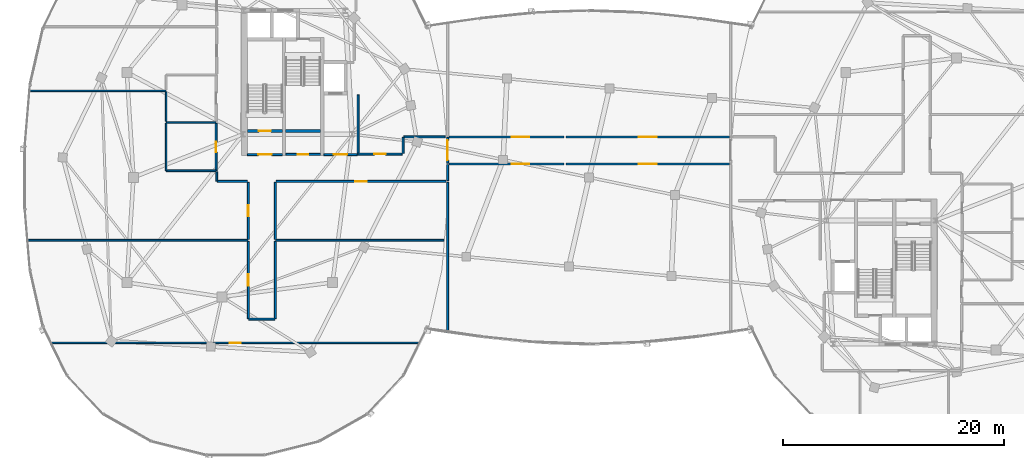
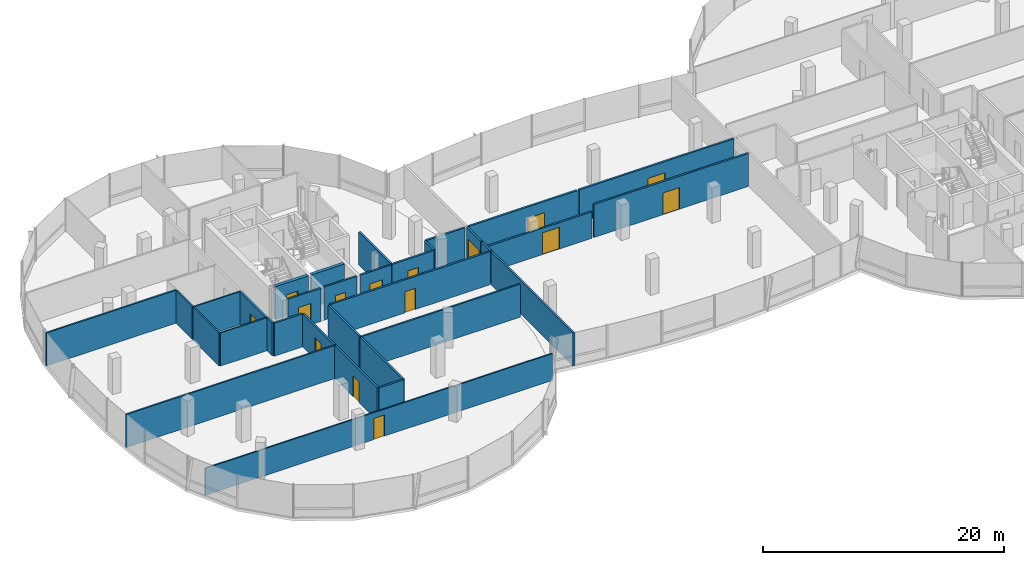
# One storey, part 14 of 26: 33 walls, 15 doors, 15 openings.
"""IFC4 building model written with IfcOpenShell, lengths in metres."""

from ifc_helpers import new_model, si_unit, direction, frame, frame_2d, origin, place, context, subcontext, project, spatial, rectangle, extrude, material, layer, layer_set, type_object, element, fill, save


model = new_model("IFC4")

# Units and contexts
model_context = context("Model", 3, precision=1e-05, world=origin(), true_north=direction((0.0, 1.0)))
body_context = subcontext(model_context, "Body", "Model", "MODEL_VIEW")
ifc_project = project(units=[si_unit("LENGTHUNIT", "METRE"), si_unit("AREAUNIT", "SQUARE_METRE"), si_unit("VOLUMEUNIT", "CUBIC_METRE"), si_unit("PLANEANGLEUNIT", "RADIAN"), si_unit("MASSUNIT", "GRAM", prefix="KILO"), si_unit("THERMODYNAMICTEMPERATUREUNIT", "KELVIN"), si_unit("POWERUNIT", "WATT")], contexts=[model_context])

# Site, building, storey
site_placement = place(None, origin())
site = spatial("IfcSite", under=ifc_project, at=site_placement, CompositionType="ELEMENT")
building_placement = place(site_placement, origin())
building = spatial("IfcBuilding", under=site, at=building_placement, Name="Cundina Bronze Exchange", CompositionType="ELEMENT")
storey_placement = place(building_placement, frame((0.0, 0.0, 261.199951171875)))
storey = spatial("IfcBuildingStorey", under=building, at=storey_placement, Name="L69", CompositionType="ELEMENT", Elevation=261.199951171875)

# Wall
ifc_material_1 = material(Name="Gypsum Fireboard Partition EI120")
ifc_layer_1 = layer(ifc_material_1, 0.179931640625, Name="Gypsum Fireboard Partition EI120")
ifc_layer_set_1 = layer_set([ifc_layer_1], Name="Gypsum Fireboard Partition EI120")
wall_type_1 = type_object("IfcWallType", Name="WL-COR-180", PredefinedType="PARTITIONING", material=ifc_layer_set_1)
wall_1_placement = place(storey_placement, frame((-20.889892578125, 2.14990234375, 0.0), z_axis=(0.0, 0.0, 1.0), x_axis=(0.0, 1.0, 0.0)))
element("IfcWall", 1, at=wall_1_placement, inside=storey, type_object=wall_type_1, Name="L69 W Firefighting Lobby Side Wall", PredefinedType="PARTITIONING", context=body_context, shape_type="SweptSolid", body=[
    extrude(rectangle(XDim=5.300048828125, YDim=0.179931640625, at=frame_2d((2.64990234375, 0.0))), origin(), (0.0, 0.0, 1.0), 3.340087890625),
])

# Wall, opening, door
wall_2_placement = place(storey_placement, frame((-23.97998046875, 2.06005859375, 0.0), z_axis=(0.0, 0.0, 1.0), x_axis=(1.0, 0.0, 0.0)))
wall_2 = element("IfcWall", 2, at=wall_2_placement, inside=storey, type_object=wall_type_1, Name="L69 W Firefighting Lobby Exit Wall", PredefinedType="PARTITIONING", context=body_context, shape_type="SweptSolid", body=[
    extrude(rectangle(XDim=3.0, YDim=0.179931640625, at=frame_2d((1.5, 0.0))), origin(), (0.0, 0.0, 1.0), 3.340087890625),
])
opening_1_placement = place(wall_2_placement, frame((0.89990234375, 0.0, 0.0)))
opening_1 = element("IfcOpeningElement", 3, at=opening_1_placement, cuts=wall_2, Name="Opening DF-01", PredefinedType="OPENING", context=body_context, shape_type="SweptSolid", body=[
    extrude(rectangle(XDim=1.199951171875, YDim=2.14990234375, at=frame_2d((0.60009765625, 1.074951171875))), frame((0.0, 0.099853515625, 0.0), z_axis=(0.0, -1.0, 0.0), x_axis=(1.0, 0.0, 0.0)), (0.0, 0.0, 1.0), 0.199951171875),
])
ifc_material_2 = material(Name="Steel ASTM A36 Painted", Category="steel")
door_type_1 = type_object("IfcDoorType", Name="DR-FFL-1200", OperationType="NOTDEFINED", PredefinedType="DOOR", material=ifc_material_2)
door_1_placement = place(opening_1_placement, origin())
door_1 = element("IfcDoor", 4, at=door_1_placement, inside=storey, type_object=door_type_1, Name="L69 W Firefighting Lobby Door", OperationType="SINGLE_SWING_RIGHT", OverallHeight=2.14990234375, OverallWidth=1.199951171875, PredefinedType="DOOR", context=body_context, shape_type="SweptSolid", body=[
    extrude(rectangle(XDim=1.199951171875, YDim=2.14990234375, at=frame_2d((0.60009765625, 1.074951171875))), frame((0.0, 0.02490234375, 0.0), z_axis=(0.0, -1.0, 0.0), x_axis=(1.0, 0.0, 0.0)), (0.0, 0.0, 1.0), 0.050048828125),
])
fill(opening_1, door_1)

wall_3_placement = place(storey_placement, frame((-30.89990234375, 2.06005859375, 0.0), z_axis=(0.0, 0.0, 1.0), x_axis=(1.0, 0.0, 0.0)))
wall_3 = element("IfcWall", 5, at=wall_3_placement, inside=storey, type_object=wall_type_1, Name="L69 W Stair Vestibule Exit Wall", PredefinedType="PARTITIONING", context=body_context, shape_type="SweptSolid", body=[
    extrude(rectangle(XDim=3.159912109375, YDim=0.179931640625, at=frame_2d((1.580078125, 0.0))), origin(), (0.0, 0.0, 1.0), 3.340087890625),
])
opening_2_placement = place(wall_3_placement, frame((0.97998046875, 0.0, 0.0)))
opening_2 = element("IfcOpeningElement", 6, at=opening_2_placement, cuts=wall_3, Name="Opening DF-01", PredefinedType="OPENING", context=body_context, shape_type="SweptSolid", body=[
    extrude(rectangle(XDim=1.199951171875, YDim=2.14990234375, at=frame_2d((0.60009765625, 1.074951171875))), frame((0.0, 0.099853515625, 0.0), z_axis=(0.0, -1.0, 0.0), x_axis=(1.0, 0.0, 0.0)), (0.0, 0.0, 1.0), 0.199951171875),
])
door_2_placement = place(opening_2_placement, origin())
door_2 = element("IfcDoor", 7, at=door_2_placement, inside=storey, type_object=door_type_1, Name="L69 W Stair Vestibule Door", OperationType="SINGLE_SWING_LEFT", OverallHeight=2.14990234375, OverallWidth=1.199951171875, PredefinedType="DOOR", context=body_context, shape_type="SweptSolid", body=[
    extrude(rectangle(XDim=1.199951171875, YDim=2.14990234375, at=frame_2d((0.60009765625, 1.074951171875))), frame((0.0, 0.02490234375, 0.0), z_axis=(0.0, -1.0, 0.0), x_axis=(1.0, 0.0, 0.0)), (0.0, 0.0, 1.0), 0.050048828125),
])
fill(opening_2, door_2)

wall_4_placement = place(storey_placement, frame((-27.419921875, 2.070068359375, 0.0), z_axis=(0.0, 0.0, 1.0), x_axis=(1.0, 0.0, 0.0)))
wall_4 = element("IfcWall", 8, at=wall_4_placement, inside=storey, type_object=wall_type_1, Name="L69 Interior Partition 003", PredefinedType="PARTITIONING", context=body_context, shape_type="SweptSolid", body=[
    extrude(rectangle(XDim=3.119873046875, YDim=0.179931640625, at=frame_2d((1.56005859375, 0.0))), origin(), (0.0, 0.0, 1.0), 3.340087890625),
])
opening_3_placement = place(wall_4_placement, frame((1.0849609375, 0.0, 0.0)))
opening_3 = element("IfcOpeningElement", 9, at=opening_3_placement, cuts=wall_4, Name="Opening DW-01", PredefinedType="OPENING", context=body_context, shape_type="SweptSolid", body=[
    extrude(rectangle(XDim=0.949951171875, YDim=2.10009765625, at=frame_2d((0.47509765625, 1.050048828125))), frame((0.0, 0.099853515625, 0.0), z_axis=(0.0, -1.0, 0.0), x_axis=(1.0, 0.0, 0.0)), (0.0, 0.0, 1.0), 0.199951171875),
])
ifc_material_3 = material(Name="Solid Andean Oak Timber Grade A", Category="wood")
door_type_2 = type_object("IfcDoorType", Name="DR-WC-950", OperationType="NOTDEFINED", PredefinedType="DOOR", material=ifc_material_3)
door_3_placement = place(opening_3_placement, origin())
door_3 = element("IfcDoor", 10, at=door_3_placement, inside=storey, type_object=door_type_2, Name="L69 Interior Door 003", OperationType="SINGLE_SWING_LEFT", OverallHeight=2.10009765625, OverallWidth=0.949951171875, PredefinedType="DOOR", context=body_context, shape_type="SweptSolid", body=[
    extrude(rectangle(XDim=0.949951171875, YDim=2.10009765625, at=frame_2d((0.47509765625, 1.050048828125))), frame((0.0, 0.02490234375, 0.0), z_axis=(0.0, -1.0, 0.0), x_axis=(1.0, 0.0, 0.0)), (0.0, 0.0, 1.0), 0.050048828125),
])
fill(opening_3, door_3)

wall_5_placement = place(storey_placement, frame((-33.719970703125, 0.6201171875, 0.0), z_axis=(0.0, 0.0, 1.0), x_axis=(0.0, 1.0, 0.0)))
wall_5 = element("IfcWall", 11, at=wall_5_placement, inside=storey, type_object=wall_type_1, Name="L69 Interior Partition 010", PredefinedType="PARTITIONING", context=body_context, shape_type="SweptSolid", body=[
    extrude(rectangle(XDim=4.259765625, YDim=0.179931640625, at=frame_2d((2.1298828125, 0.0))), origin(), (0.0, 0.0, 1.0), 3.340087890625),
])
opening_4_placement = place(wall_5_placement, frame((1.655029296875, 0.0, 0.0)))
opening_4 = element("IfcOpeningElement", 12, at=opening_4_placement, cuts=wall_5, Name="Opening DW-01", PredefinedType="OPENING", context=body_context, shape_type="SweptSolid", body=[
    extrude(rectangle(XDim=0.949951171875, YDim=2.10009765625, at=frame_2d((0.47509765625, 1.050048828125))), frame((0.0, 0.099853515625, 0.0), z_axis=(0.0, -1.0, 0.0), x_axis=(1.0, 0.0, 0.0)), (0.0, 0.0, 1.0), 0.199951171875),
])
door_4_placement = place(opening_4_placement, origin())
door_4 = element("IfcDoor", 13, at=door_4_placement, inside=storey, type_object=door_type_2, Name="L69 Interior Door 010", OperationType="SINGLE_SWING_RIGHT", OverallHeight=2.10009765625, OverallWidth=0.949951171875, PredefinedType="DOOR", context=body_context, shape_type="SweptSolid", body=[
    extrude(rectangle(XDim=0.949951171875, YDim=2.10009765625, at=frame_2d((0.47509765625, 1.050048828125))), frame((0.0, 0.02490234375, 0.0), z_axis=(0.0, -1.0, 0.0), x_axis=(1.0, 0.0, 0.0)), (0.0, 0.0, 1.0), 0.050048828125),
])
fill(opening_4, door_4)

wall_6_placement = place(storey_placement, frame((-30.820068359375, -5.780029296875, 0.0), z_axis=(0.0, 0.0, 1.0), x_axis=(0.0, -1.0, 0.0)))
wall_6 = element("IfcWall", 14, at=wall_6_placement, inside=storey, type_object=wall_type_1, Name="L69 Interior Partition 019", PredefinedType="PARTITIONING", context=body_context, shape_type="SweptSolid", body=[
    extrude(rectangle(XDim=6.99853515625, YDim=0.179931640625, at=frame_2d((3.499267578125, 0.0))), origin(), (0.0, 0.0, 1.0), 3.340087890625),
])
opening_5_placement = place(wall_6_placement, frame((2.999267578125, 0.0, 0.0)))
opening_5 = element("IfcOpeningElement", 15, at=opening_5_placement, cuts=wall_6, Name="Opening DO-01", PredefinedType="OPENING", context=body_context, shape_type="SweptSolid", body=[
    extrude(rectangle(XDim=1.0, YDim=2.14990234375, at=frame_2d((0.5, 1.074951171875))), frame((0.0, 0.099853515625, 0.0), z_axis=(0.0, -1.0, 0.0), x_axis=(1.0, 0.0, 0.0)), (0.0, 0.0, 1.0), 0.199951171875),
])
door_type_3 = type_object("IfcDoorType", Name="DR-OFF-1000", OperationType="NOTDEFINED", PredefinedType="DOOR", material=ifc_material_3)
door_5_placement = place(opening_5_placement, origin())
door_5 = element("IfcDoor", 16, at=door_5_placement, inside=storey, type_object=door_type_3, Name="L69 Interior Door 019", OperationType="SINGLE_SWING_RIGHT", OverallHeight=2.14990234375, OverallWidth=1.0, PredefinedType="DOOR", context=body_context, shape_type="SweptSolid", body=[
    extrude(rectangle(XDim=1.0, YDim=2.14990234375, at=frame_2d((0.5, 1.074951171875))), frame((0.0, 0.02490234375, 0.0), z_axis=(0.0, -1.0, 0.0), x_axis=(1.0, 0.0, 0.0)), (0.0, 0.0, 1.0), 0.050048828125),
])
fill(opening_5, door_5)

# Walls
wall_7_placement = place(storey_placement, frame((-28.3798828125, -12.778564453125, 0.0), z_axis=(0.0, 0.0, 1.0), x_axis=(0.0, 1.0, 0.0)))
element("IfcWall", 17, at=wall_7_placement, inside=storey, type_object=wall_type_1, Name="L69 Interior Partition 020", PredefinedType="PARTITIONING", context=body_context, shape_type="SweptSolid", body=[
    extrude(rectangle(XDim=6.99853515625, YDim=0.179931640625, at=frame_2d((3.499267578125, 0.0))), origin(), (0.0, 0.0, 1.0), 3.340087890625),
])
wall_8_placement = place(storey_placement, frame((-30.778564453125, -12.820068359375, 0.0), z_axis=(0.0, 0.0, 1.0), x_axis=(1.0, 0.0, 0.0)))
element("IfcWall", 18, at=wall_8_placement, inside=storey, type_object=wall_type_1, Name="L69 Interior Partition 021", PredefinedType="PARTITIONING", context=body_context, shape_type="SweptSolid", body=[
    extrude(rectangle(XDim=2.357177734375, YDim=0.179931640625, at=frame_2d((1.1787109375, 0.0))), origin(), (0.0, 0.0, 1.0), 3.340087890625),
])

# Wall, opening, door
wall_9_placement = place(storey_placement, frame((-28.300048828125, -0.3701171875, 0.0), z_axis=(0.0, 0.0, 1.0), x_axis=(1.0, 0.0, 0.0)))
wall_9 = element("IfcWall", 19, at=wall_9_placement, inside=storey, type_object=wall_type_1, Name="L69 Interior Partition 022", PredefinedType="PARTITIONING", context=body_context, shape_type="SweptSolid", body=[
    extrude(rectangle(XDim=15.34912109375, YDim=0.179931640625, at=frame_2d((7.674560546875, 0.0))), origin(), (0.0, 0.0, 1.0), 3.340087890625),
])
opening_6_placement = place(wall_9_placement, frame((7.174560546875, 0.0, 0.0)))
opening_6 = element("IfcOpeningElement", 20, at=opening_6_placement, cuts=wall_9, Name="Opening DO-01", PredefinedType="OPENING", context=body_context, shape_type="SweptSolid", body=[
    extrude(rectangle(XDim=1.0, YDim=2.14990234375, at=frame_2d((0.5, 1.074951171875))), frame((0.0, 0.099853515625, 0.0), z_axis=(0.0, -1.0, 0.0), x_axis=(1.0, 0.0, 0.0)), (0.0, 0.0, 1.0), 0.199951171875),
])
door_6_placement = place(opening_6_placement, origin())
door_6 = element("IfcDoor", 21, at=door_6_placement, inside=storey, type_object=door_type_3, Name="L69 Interior Door 022", OperationType="SINGLE_SWING_LEFT", OverallHeight=2.14990234375, OverallWidth=1.0, PredefinedType="DOOR", context=body_context, shape_type="SweptSolid", body=[
    extrude(rectangle(XDim=1.0, YDim=2.14990234375, at=frame_2d((0.5, 1.074951171875))), frame((0.0, 0.02490234375, 0.0), z_axis=(0.0, -1.0, 0.0), x_axis=(1.0, 0.0, 0.0)), (0.0, 0.0, 1.0), 0.050048828125),
])
fill(opening_6, door_6)

# Wall
wall_10_placement = place(storey_placement, frame((-28.3798828125, -5.60009765625, 0.0), z_axis=(0.0, 0.0, 1.0), x_axis=(0.0, 1.0, 0.0)))
element("IfcWall", 22, at=wall_10_placement, inside=storey, type_object=wall_type_1, Name="L69 Interior Partition 023", PredefinedType="PARTITIONING", context=body_context, shape_type="SweptSolid", body=[
    extrude(rectangle(XDim=5.150146484375, YDim=0.179931640625, at=frame_2d((2.5751953125, 0.0))), origin(), (0.0, 0.0, 1.0), 3.340087890625),
])

# Wall, opening, door
wall_11_placement = place(storey_placement, frame((-30.820068359375, -0.449951171875, 0.0), z_axis=(0.0, 0.0, 1.0), x_axis=(0.0, -1.0, 0.0)))
wall_11 = element("IfcWall", 23, at=wall_11_placement, inside=storey, type_object=wall_type_1, Name="L69 Interior Partition 024", PredefinedType="PARTITIONING", context=body_context, shape_type="SweptSolid", body=[
    extrude(rectangle(XDim=5.150146484375, YDim=0.179931640625, at=frame_2d((2.5751953125, 0.0))), origin(), (0.0, 0.0, 1.0), 3.340087890625),
])
opening_7_placement = place(wall_11_placement, frame((2.074951171875, 0.0, 0.0)))
opening_7 = element("IfcOpeningElement", 24, at=opening_7_placement, cuts=wall_11, Name="Opening DO-01", PredefinedType="OPENING", context=body_context, shape_type="SweptSolid", body=[
    extrude(rectangle(XDim=1.0, YDim=2.14990234375, at=frame_2d((0.5, 1.074951171875))), frame((0.0, 0.099853515625, 0.0), z_axis=(0.0, -1.0, 0.0), x_axis=(1.0, 0.0, 0.0)), (0.0, 0.0, 1.0), 0.199951171875),
])
door_7_placement = place(opening_7_placement, origin())
door_7 = element("IfcDoor", 25, at=door_7_placement, inside=storey, type_object=door_type_3, Name="L69 Interior Door 024", OperationType="SINGLE_SWING_RIGHT", OverallHeight=2.14990234375, OverallWidth=1.0, PredefinedType="DOOR", context=body_context, shape_type="SweptSolid", body=[
    extrude(rectangle(XDim=1.0, YDim=2.14990234375, at=frame_2d((0.5, 1.074951171875))), frame((0.0, 0.02490234375, 0.0), z_axis=(0.0, -1.0, 0.0), x_axis=(1.0, 0.0, 0.0)), (0.0, 0.0, 1.0), 0.050048828125),
])
fill(opening_7, door_7)

# Walls
wall_12_placement = place(storey_placement, frame((-33.62841796875, -0.3701171875, 0.0), z_axis=(0.0, 0.0, 1.0), x_axis=(1.0, 0.0, 0.0)))
element("IfcWall", 26, at=wall_12_placement, inside=storey, type_object=wall_type_1, Name="L69 Interior Partition 025", PredefinedType="PARTITIONING", context=body_context, shape_type="SweptSolid", body=[
    extrude(rectangle(XDim=2.728515625, YDim=0.179931640625, at=frame_2d((1.3642578125, 0.0))), origin(), (0.0, 0.0, 1.0), 3.340087890625),
])
wall_13_placement = place(storey_placement, frame((-33.669921875, 0.508544921875, 0.0), z_axis=(0.0, 0.0, 1.0), x_axis=(0.0, -1.0, 0.0)))
element("IfcWall", 27, at=wall_13_placement, inside=storey, type_object=wall_type_1, Name="L69 Interior Partition 026", PredefinedType="PARTITIONING", context=body_context, shape_type="SweptSolid", body=[
    extrude(rectangle(XDim=0.837158203125, YDim=0.179931640625, at=frame_2d((0.41845703125, 0.0))), origin(), (0.0, 0.0, 1.0), 3.340087890625),
])

# Wall, opening, door
wall_14_placement = place(storey_placement, frame((-16.89990234375, 2.10009765625, 0.0), z_axis=(0.0, 0.0, 1.0), x_axis=(-1.0, 0.0, 0.0)))
wall_14 = element("IfcWall", 28, at=wall_14_placement, inside=storey, type_object=wall_type_1, Name="L69 Interior Partition 028", PredefinedType="PARTITIONING", context=body_context, shape_type="SweptSolid", body=[
    extrude(rectangle(XDim=4.02001953125, YDim=0.179931640625, at=frame_2d((2.010009765625, 0.0))), origin(), (0.0, 0.0, 1.0), 3.340087890625),
])
opening_8_placement = place(wall_14_placement, frame((1.510009765625, 0.0, 0.0)))
opening_8 = element("IfcOpeningElement", 29, at=opening_8_placement, cuts=wall_14, Name="Opening DO-01", PredefinedType="OPENING", context=body_context, shape_type="SweptSolid", body=[
    extrude(rectangle(XDim=1.0, YDim=2.14990234375, at=frame_2d((0.5, 1.074951171875))), frame((0.0, 0.099853515625, 0.0), z_axis=(0.0, -1.0, 0.0), x_axis=(1.0, 0.0, 0.0)), (0.0, 0.0, 1.0), 0.199951171875),
])
door_8_placement = place(opening_8_placement, origin())
door_8 = element("IfcDoor", 30, at=door_8_placement, inside=storey, type_object=door_type_3, Name="L69 Interior Door 028", OperationType="SINGLE_SWING_LEFT", OverallHeight=2.14990234375, OverallWidth=1.0, PredefinedType="DOOR", context=body_context, shape_type="SweptSolid", body=[
    extrude(rectangle(XDim=1.0, YDim=2.14990234375, at=frame_2d((0.5, 1.074951171875))), frame((0.0, 0.02490234375, 0.0), z_axis=(0.0, -1.0, 0.0), x_axis=(1.0, 0.0, 0.0)), (0.0, 0.0, 1.0), 0.050048828125),
])
fill(opening_8, door_8)

# Walls
wall_15_placement = place(storey_placement, frame((-13.025634765625, 3.669921875, 0.0), z_axis=(0.0, 0.0, 1.0), x_axis=(-1.0, 0.0, 0.0)))
element("IfcWall", 31, at=wall_15_placement, inside=storey, type_object=wall_type_1, Name="L69 Interior Partition 029", PredefinedType="PARTITIONING", context=body_context, shape_type="SweptSolid", body=[
    extrude(rectangle(XDim=3.7529296875, YDim=0.179931640625, at=frame_2d((1.87646484375, 0.0))), origin(), (0.0, 0.0, 1.0), 3.340087890625),
])
wall_16_placement = place(storey_placement, frame((-16.820068359375, 3.62841796875, 0.0), z_axis=(0.0, 0.0, 1.0), x_axis=(0.0, -1.0, 0.0)))
element("IfcWall", 32, at=wall_16_placement, inside=storey, type_object=wall_type_1, Name="L69 Interior Partition 032", PredefinedType="PARTITIONING", context=body_context, shape_type="SweptSolid", body=[
    extrude(rectangle(XDim=1.448486328125, YDim=0.179931640625, at=frame_2d((0.72412109375, 0.0))), origin(), (0.0, 0.0, 1.0), 3.340087890625),
])

# Wall, opening, door
wall_17_placement = place(storey_placement, frame((-2.10498046875, 1.22998046875, 0.0), z_axis=(0.0, 0.0, 1.0), x_axis=(1.0, 0.0, 0.0)))
wall_17 = element("IfcWall", 33, at=wall_17_placement, inside=storey, type_object=wall_type_1, Name="L69 Interior Partition 075", PredefinedType="PARTITIONING", context=body_context, shape_type="SweptSolid", body=[
    extrude(rectangle(XDim=14.79345703125, YDim=0.179931640625, at=frame_2d((7.396728515625, 0.0))), origin(), (0.0, 0.0, 1.0), 3.340087890625),
])
opening_9_placement = place(wall_17_placement, frame((6.5966796875, 0.0, 0.0)))
opening_9 = element("IfcOpeningElement", 34, at=opening_9_placement, cuts=wall_17, Name="Opening DO-02", PredefinedType="OPENING", context=body_context, shape_type="SweptSolid", body=[
    extrude(rectangle(XDim=1.60009765625, YDim=2.199951171875, at=frame_2d((0.800048828125, 1.10009765625))), frame((0.0, 0.099853515625, 0.0), z_axis=(0.0, -1.0, 0.0), x_axis=(1.0, 0.0, 0.0)), (0.0, 0.0, 1.0), 0.199951171875),
])
door_type_4 = type_object("IfcDoorType", Name="DR-TRD-1600", OperationType="NOTDEFINED", PredefinedType="DOOR", material=ifc_material_3)
door_9_placement = place(opening_9_placement, origin())
door_9 = element("IfcDoor", 35, at=door_9_placement, inside=storey, type_object=door_type_4, Name="L69 Interior Door 075", OperationType="SINGLE_SWING_RIGHT", OverallHeight=2.199951171875, OverallWidth=1.60009765625, PredefinedType="DOOR", context=body_context, shape_type="SweptSolid", body=[
    extrude(rectangle(XDim=1.60009765625, YDim=2.199951171875, at=frame_2d((0.800048828125, 1.10009765625))), frame((0.0, 0.02490234375, 0.0), z_axis=(0.0, -1.0, 0.0), x_axis=(1.0, 0.0, 0.0)), (0.0, 0.0, 1.0), 0.050048828125),
])
fill(opening_9, door_9)

wall_18_placement = place(storey_placement, frame((-12.6884765625, 1.22998046875, 0.0), z_axis=(0.0, 0.0, 1.0), x_axis=(1.0, 0.0, 0.0)))
wall_18 = element("IfcWall", 36, at=wall_18_placement, inside=storey, type_object=wall_type_1, Name="L69 Interior Partition 076", PredefinedType="PARTITIONING", context=body_context, shape_type="SweptSolid", body=[
    extrude(rectangle(XDim=10.3935546875, YDim=0.179931640625, at=frame_2d((5.19677734375, 0.0))), origin(), (0.0, 0.0, 1.0), 2.6630859375),
])
opening_10_placement = place(wall_18_placement, frame((5.6796875, 0.0, 0.0)))
opening_10 = element("IfcOpeningElement", 37, at=opening_10_placement, cuts=wall_18, Name="Opening DO-02", PredefinedType="OPENING", context=body_context, shape_type="SweptSolid", body=[
    extrude(rectangle(XDim=1.60009765625, YDim=2.199951171875, at=frame_2d((0.800048828125, 1.10009765625))), frame((0.0, 0.099853515625, 0.0), z_axis=(0.0, -1.0, 0.0), x_axis=(1.0, 0.0, 0.0)), (0.0, 0.0, 1.0), 0.199951171875),
])
door_10_placement = place(opening_10_placement, origin())
door_10 = element("IfcDoor", 38, at=door_10_placement, inside=storey, type_object=door_type_4, Name="L69 Interior Door 076", OperationType="SINGLE_SWING_RIGHT", OverallHeight=2.199951171875, OverallWidth=1.60009765625, PredefinedType="DOOR", context=body_context, shape_type="SweptSolid", body=[
    extrude(rectangle(XDim=1.60009765625, YDim=2.199951171875, at=frame_2d((0.800048828125, 1.10009765625))), frame((0.0, 0.02490234375, 0.0), z_axis=(0.0, -1.0, 0.0), x_axis=(1.0, 0.0, 0.0)), (0.0, 0.0, 1.0), 0.050048828125),
])
fill(opening_10, door_10)

wall_19_placement = place(storey_placement, frame((-2.294921875, 3.669921875, 0.0), z_axis=(0.0, 0.0, 1.0), x_axis=(-1.0, 0.0, 0.0)))
wall_19 = element("IfcWall", 39, at=wall_19_placement, inside=storey, type_object=wall_type_1, Name="L69 Interior Partition 077", PredefinedType="PARTITIONING", context=body_context, shape_type="SweptSolid", body=[
    extrude(rectangle(XDim=10.3935546875, YDim=0.179931640625, at=frame_2d((5.19677734375, 0.0))), origin(), (0.0, 0.0, 1.0), 3.340087890625),
])
opening_11_placement = place(wall_19_placement, frame((3.11376953125, 0.0, 0.0)))
opening_11 = element("IfcOpeningElement", 40, at=opening_11_placement, cuts=wall_19, Name="Opening DO-02", PredefinedType="OPENING", context=body_context, shape_type="SweptSolid", body=[
    extrude(rectangle(XDim=1.60009765625, YDim=2.199951171875, at=frame_2d((0.800048828125, 1.10009765625))), frame((0.0, 0.099853515625, 0.0), z_axis=(0.0, -1.0, 0.0), x_axis=(1.0, 0.0, 0.0)), (0.0, 0.0, 1.0), 0.199951171875),
])
door_11_placement = place(opening_11_placement, origin())
door_11 = element("IfcDoor", 41, at=door_11_placement, inside=storey, type_object=door_type_4, Name="L69 Interior Door 077", OperationType="SINGLE_SWING_LEFT", OverallHeight=2.199951171875, OverallWidth=1.60009765625, PredefinedType="DOOR", context=body_context, shape_type="SweptSolid", body=[
    extrude(rectangle(XDim=1.60009765625, YDim=2.199951171875, at=frame_2d((0.800048828125, 1.10009765625))), frame((0.0, 0.02490234375, 0.0), z_axis=(0.0, -1.0, 0.0), x_axis=(1.0, 0.0, 0.0)), (0.0, 0.0, 1.0), 0.050048828125),
])
fill(opening_11, door_11)

wall_20_placement = place(storey_placement, frame((12.6884765625, 3.669921875, 0.0), z_axis=(0.0, 0.0, 1.0), x_axis=(-1.0, 0.0, 0.0)))
wall_20 = element("IfcWall", 42, at=wall_20_placement, inside=storey, type_object=wall_type_1, Name="L69 Interior Partition 078", PredefinedType="PARTITIONING", context=body_context, shape_type="SweptSolid", body=[
    extrude(rectangle(XDim=14.79345703125, YDim=0.179931640625, at=frame_2d((7.396728515625, 0.0))), origin(), (0.0, 0.0, 1.0), 3.340087890625),
])
opening_12_placement = place(wall_20_placement, frame((6.5966796875, 0.0, 0.0)))
opening_12 = element("IfcOpeningElement", 43, at=opening_12_placement, cuts=wall_20, Name="Opening DO-02", PredefinedType="OPENING", context=body_context, shape_type="SweptSolid", body=[
    extrude(rectangle(XDim=1.60009765625, YDim=2.199951171875, at=frame_2d((0.800048828125, 1.10009765625))), frame((0.0, 0.099853515625, 0.0), z_axis=(0.0, -1.0, 0.0), x_axis=(1.0, 0.0, 0.0)), (0.0, 0.0, 1.0), 0.199951171875),
])
door_12_placement = place(opening_12_placement, origin())
door_12 = element("IfcDoor", 44, at=door_12_placement, inside=storey, type_object=door_type_4, Name="L69 Interior Door 078", OperationType="SINGLE_SWING_LEFT", OverallHeight=2.199951171875, OverallWidth=1.60009765625, PredefinedType="DOOR", context=body_context, shape_type="SweptSolid", body=[
    extrude(rectangle(XDim=1.60009765625, YDim=2.199951171875, at=frame_2d((0.800048828125, 1.10009765625))), frame((0.0, 0.02490234375, 0.0), z_axis=(0.0, -1.0, 0.0), x_axis=(1.0, 0.0, 0.0)), (0.0, 0.0, 1.0), 0.050048828125),
])
fill(opening_12, door_12)

# Walls
wall_21_placement = place(storey_placement, frame((-12.800048828125, -14.043701171875, 0.0), z_axis=(0.0, 0.0, 1.0), x_axis=(0.0, 1.0, 0.0)))
element("IfcWall", 45, at=wall_21_placement, inside=storey, type_object=wall_type_1, Name="L69 Interior Partition 079", PredefinedType="PARTITIONING", context=body_context, shape_type="SweptSolid", body=[
    extrude(rectangle(XDim=13.588623046875, YDim=0.179931640625, at=frame_2d((6.79443359375, 0.0))), origin(), (0.0, 0.0, 1.0), 3.340087890625),
])
wall_22_placement = place(storey_placement, frame((-12.800048828125, -0.284912109375, 0.0), z_axis=(0.0, 0.0, 1.0), x_axis=(0.0, 1.0, 0.0)))
element("IfcWall", 46, at=wall_22_placement, inside=storey, type_object=wall_type_1, Name="L69 Interior Partition 080", PredefinedType="PARTITIONING", context=body_context, shape_type="SweptSolid", body=[
    extrude(rectangle(XDim=1.44482421875, YDim=0.179931640625, at=frame_2d((0.722412109375, 0.0))), origin(), (0.0, 0.0, 1.0), 3.340087890625),
])

# Wall, opening, door
wall_23_placement = place(storey_placement, frame((-12.800048828125, 1.280029296875, 0.0), z_axis=(0.0, 0.0, 1.0), x_axis=(0.0, 1.0, 0.0)))
wall_23 = element("IfcWall", 47, at=wall_23_placement, inside=storey, type_object=wall_type_1, Name="L69 Interior Partition 082", PredefinedType="PARTITIONING", context=body_context, shape_type="SweptSolid", body=[
    extrude(rectangle(XDim=2.340087890625, YDim=0.179931640625, at=frame_2d((1.169921875, 0.0))), origin(), (0.0, 0.0, 1.0), 3.340087890625),
])
opening_13_placement = place(wall_23_placement, frame((0.27001953125, 0.0, 0.0)))
opening_13 = element("IfcOpeningElement", 48, at=opening_13_placement, cuts=wall_23, Name="Opening DB-01", PredefinedType="OPENING", context=body_context, shape_type="SweptSolid", body=[
    extrude(rectangle(XDim=1.800048828125, YDim=2.25, at=frame_2d((0.89990234375, 1.125))), frame((0.0, 0.099853515625, 0.0), z_axis=(0.0, -1.0, 0.0), x_axis=(1.0, 0.0, 0.0)), (0.0, 0.0, 1.0), 0.199951171875),
])
door_type_5 = type_object("IfcDoorType", Name="DR-BRG-1800", OperationType="NOTDEFINED", PredefinedType="DOOR", material=ifc_material_2)
door_13_placement = place(opening_13_placement, origin())
door_13 = element("IfcDoor", 49, at=door_13_placement, inside=storey, type_object=door_type_5, Name="L69 Interior Door 082", OperationType="DOUBLE_DOOR_SINGLE_SWING", OverallHeight=2.25, OverallWidth=1.800048828125, PredefinedType="DOOR", context=body_context, shape_type="SweptSolid", body=[
    extrude(rectangle(XDim=1.800048828125, YDim=2.25, at=frame_2d((0.89990234375, 1.125))), frame((0.0, 0.02490234375, 0.0), z_axis=(0.0, -1.0, 0.0), x_axis=(1.0, 0.0, 0.0)), (0.0, 0.0, 1.0), 0.050048828125),
])
fill(opening_13, door_13)

ifc_material_4 = material(Name="Gypsum Acoustic Partition EI60")
ifc_layer_2 = layer(ifc_material_4, 0.125, Name="Gypsum Acoustic Partition EI60")
ifc_layer_set_2 = layer_set([ifc_layer_2], Name="Gypsum Acoustic Partition EI60")
wall_type_2 = type_object("IfcWallType", Name="WL-OFF-125", PredefinedType="PARTITIONING", material=ifc_layer_set_2)
wall_24_placement = place(storey_placement, frame((-48.631591796875, -14.9599609375, 0.0), z_axis=(0.0, 0.0, 1.0), x_axis=(1.0, 0.0, 0.0)))
wall_24 = element("IfcWall", 50, at=wall_24_placement, inside=storey, type_object=wall_type_2, Name="L69 Interior Partition 036", PredefinedType="PARTITIONING", context=body_context, shape_type="SweptSolid", body=[
    extrude(rectangle(XDim=33.26318359375, YDim=0.125, at=frame_2d((16.631591796875, 0.0))), origin(), (0.0, 0.0, 1.0), 2.72412109375),
])
opening_14_placement = place(wall_24_placement, frame((16.131591796875, 0.0, 0.0)))
opening_14 = element("IfcOpeningElement", 51, at=opening_14_placement, cuts=wall_24, Name="Opening DO-01", PredefinedType="OPENING", context=body_context, shape_type="SweptSolid", body=[
    extrude(rectangle(XDim=1.0, YDim=2.14990234375, at=frame_2d((0.5, 1.074951171875))), frame((0.0, 0.072509765625, 0.0), z_axis=(0.0, -1.0, 0.0), x_axis=(1.0, 0.0, 0.0)), (0.0, 0.0, 1.0), 0.14501953125),
])
door_14_placement = place(opening_14_placement, origin())
door_14 = element("IfcDoor", 52, at=door_14_placement, inside=storey, type_object=door_type_3, Name="L69 Interior Door 036", OperationType="SINGLE_SWING_LEFT", OverallHeight=2.14990234375, OverallWidth=1.0, PredefinedType="DOOR", context=body_context, shape_type="SweptSolid", body=[
    extrude(rectangle(XDim=1.0, YDim=2.14990234375, at=frame_2d((0.5, 1.074951171875))), frame((0.0, 0.02490234375, 0.0), z_axis=(0.0, -1.0, 0.0), x_axis=(1.0, 0.0, 0.0)), (0.0, 0.0, 1.0), 0.050048828125),
])
fill(opening_14, door_14)

ifc_material_5 = material(Name="Concrete C50/60", Category="concrete")
ifc_layer_3 = layer(ifc_material_5, 0.300048828125, Name="Concrete C50/60", Category="concrete")
ifc_layer_set_3 = layer_set([ifc_layer_3], Name="Concrete C50/60")
wall_type_3 = type_object("IfcWallType", Name="WL-SHFT-300", PredefinedType="SHEAR", material=ifc_layer_set_3)
wall_25_placement = place(storey_placement, frame((-30.89990234375, 4.199951171875, 0.0), z_axis=(0.0, 0.0, 1.0), x_axis=(1.0, 0.0, 0.0)))
wall_25 = element("IfcWall", 53, at=wall_25_placement, inside=storey, type_object=wall_type_3, Name="L69 Stair W1 Landing Wall", PredefinedType="SHEAR", context=body_context, shape_type="SweptSolid", body=[
    extrude(rectangle(XDim=3.159912109375, YDim=0.300048828125, at=frame_2d((1.580078125, 0.0))), origin(), (0.0, 0.0, 1.0), 3.340087890625),
])
opening_15_placement = place(wall_25_placement, frame((1.030029296875, 0.0, 0.0)))
opening_15 = element("IfcOpeningElement", 54, at=opening_15_placement, cuts=wall_25, Name="Opening DS-01", PredefinedType="OPENING", context=body_context, shape_type="SweptSolid", body=[
    extrude(rectangle(XDim=1.10009765625, YDim=2.14990234375, at=frame_2d((0.550048828125, 1.074951171875))), frame((0.0, 0.159912109375, 0.0), z_axis=(0.0, -1.0, 0.0), x_axis=(1.0, 0.0, 0.0)), (0.0, 0.0, 1.0), 0.320068359375),
])
door_type_6 = type_object("IfcDoorType", Name="DR-STR-1100", OperationType="NOTDEFINED", PredefinedType="DOOR", material=ifc_material_2)
door_15_placement = place(opening_15_placement, origin())
door_15 = element("IfcDoor", 55, at=door_15_placement, inside=storey, type_object=door_type_6, Name="L69 Smokeproof Stair W1 Door", OperationType="SINGLE_SWING_RIGHT", OverallHeight=2.14990234375, OverallWidth=1.10009765625, PredefinedType="DOOR", context=body_context, shape_type="SweptSolid", body=[
    extrude(rectangle(XDim=1.10009765625, YDim=2.14990234375, at=frame_2d((0.550048828125, 1.074951171875))), frame((0.0, 0.02490234375, 0.0), z_axis=(0.0, -1.0, 0.0), x_axis=(1.0, 0.0, 0.0)), (0.0, 0.0, 1.0), 0.050048828125),
])
fill(opening_15, door_15)

# Walls
wall_26_placement = place(storey_placement, frame((-27.43994140625, 4.199951171875, 0.0), z_axis=(0.0, 0.0, 1.0), x_axis=(1.0, 0.0, 0.0)))
element("IfcWall", 56, at=wall_26_placement, inside=storey, type_object=wall_type_3, Name="L69 Stair W2 Far Shaft Wall", PredefinedType="SHEAR", context=body_context, shape_type="SweptSolid", body=[
    extrude(rectangle(XDim=3.159912109375, YDim=0.300048828125, at=frame_2d((1.580078125, 0.0))), origin(), (0.0, 0.0, 1.0), 3.340087890625),
])
ifc_layer_4 = layer(ifc_material_4, 0.14990234375, Name="Gypsum Acoustic Partition EI60")
ifc_layer_set_4 = layer_set([ifc_layer_4], Name="Gypsum Acoustic Partition EI60")
wall_type_4 = type_object("IfcWallType", Name="WL-TEN-150", PredefinedType="PARTITIONING", material=ifc_layer_set_4)
wall_27_placement = place(storey_placement, frame((-50.859619140625, -5.68994140625, 0.0), z_axis=(0.0, 0.0, 1.0), x_axis=(1.0, 0.0, 0.0)))
element("IfcWall", 57, at=wall_27_placement, inside=storey, type_object=wall_type_4, Name="L69 Interior Partition 012", PredefinedType="PARTITIONING", context=body_context, shape_type="SweptSolid", body=[
    extrude(rectangle(XDim=20.009521484375, YDim=0.14990234375, at=frame_2d((10.0048828125, 0.0))), origin(), (0.0, 0.0, 1.0), 3.340087890625),
])
wall_28_placement = place(storey_placement, frame((-28.35009765625, -5.68994140625, 0.0), z_axis=(0.0, 0.0, 1.0), x_axis=(1.0, 0.0, 0.0)))
element("IfcWall", 58, at=wall_28_placement, inside=storey, type_object=wall_type_4, Name="L69 Interior Partition 013", PredefinedType="PARTITIONING", context=body_context, shape_type="SweptSolid", body=[
    extrude(rectangle(XDim=15.209716796875, YDim=0.14990234375, at=frame_2d((7.60498046875, 0.0))), origin(), (0.0, 0.0, 1.0), 3.340087890625),
])
wall_29_placement = place(storey_placement, frame((-50.6806640625, 7.820068359375, 0.0), z_axis=(0.0, 0.0, 1.0), x_axis=(1.0, 0.0, 0.0)))
element("IfcWall", 59, at=wall_29_placement, inside=storey, type_object=wall_type_4, Name="L69 Interior Partition 014", PredefinedType="PARTITIONING", context=body_context, shape_type="SweptSolid", body=[
    extrude(rectangle(XDim=12.41064453125, YDim=0.14990234375, at=frame_2d((6.205322265625, 0.0))), origin(), (0.0, 0.0, 1.0), 3.340087890625),
])
ifc_material_6 = material(Name="Moisture-Resistant Masonry Block Grade M15", Category="masonry")
ifc_layer_5 = layer(ifc_material_6, 0.139892578125, Name="Moisture-Resistant Masonry Block Grade M15", Category="masonry")
ifc_layer_set_5 = layer_set([ifc_layer_5], Name="Moisture-Resistant Masonry Block Grade M15")
wall_type_5 = type_object("IfcWallType", Name="WL-WET-140", PredefinedType="PARTITIONING", material=ifc_layer_set_5)
wall_30_placement = place(storey_placement, frame((-38.239990234375, 0.6201171875, 0.0), z_axis=(0.0, 0.0, 1.0), x_axis=(0.0, 1.0, 0.0)))
element("IfcWall", 60, at=wall_30_placement, inside=storey, type_object=wall_type_5, Name="L69 Interior Partition 004", PredefinedType="PARTITIONING", context=body_context, shape_type="SweptSolid", body=[
    extrude(rectangle(XDim=4.27490234375, YDim=0.139892578125, at=frame_2d((2.137451171875, 0.0))), origin(), (0.0, 0.0, 1.0), 3.340087890625),
])
wall_31_placement = place(storey_placement, frame((-38.239990234375, 5.06494140625, 0.0), z_axis=(0.0, 0.0, 1.0), x_axis=(0.0, 1.0, 0.0)))
element("IfcWall", 61, at=wall_31_placement, inside=storey, type_object=wall_type_5, Name="L69 Interior Partition 005", PredefinedType="PARTITIONING", context=body_context, shape_type="SweptSolid", body=[
    extrude(rectangle(XDim=2.670166015625, YDim=0.139892578125, at=frame_2d((1.3349609375, 0.0))), origin(), (0.0, 0.0, 1.0), 3.340087890625),
])
for number, where, z_axis, x_axis, name in (
    (62, (-38.219970703125, 0.60009765625, 0.0), (0.0, 0.0, 1.0), (1.0, 0.0, 0.0), "L69 Interior Partition 007"),
    (63, (-38.219970703125, 4.97998046875, 0.0), (0.0, 0.0, 1.0), (1.0, 0.0, 0.0), "L69 Interior Partition 008"),
):
    element("IfcWall", number, at=place(storey_placement, frame(where, z_axis=z_axis, x_axis=x_axis)), inside=storey, type_object=wall_type_5, Name=name, PredefinedType="PARTITIONING", context=body_context, shape_type="SweptSolid", body=[
        extrude(rectangle(XDim=4.47998046875, YDim=0.139892578125, at=frame_2d((2.239990234375, 0.0))), origin(), (0.0, 0.0, 1.0), 3.340087890625),
    ])

save(model, "model.ifc")
